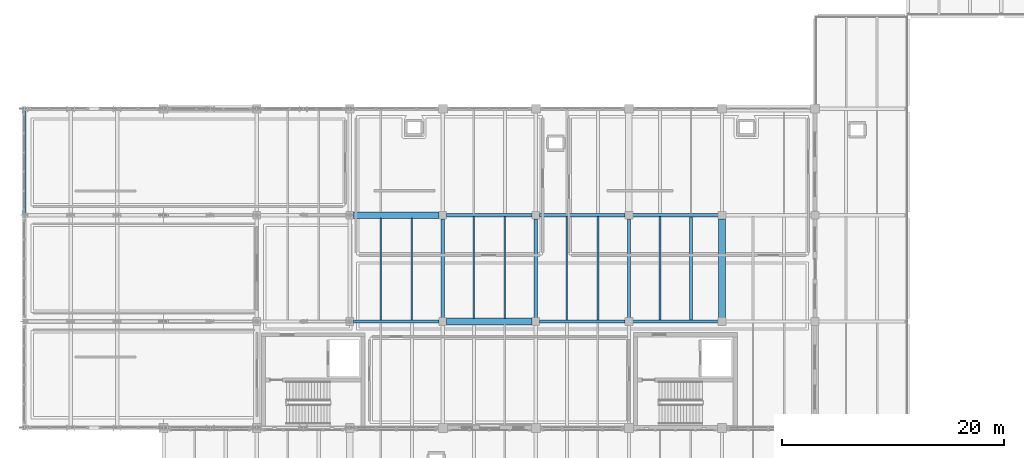
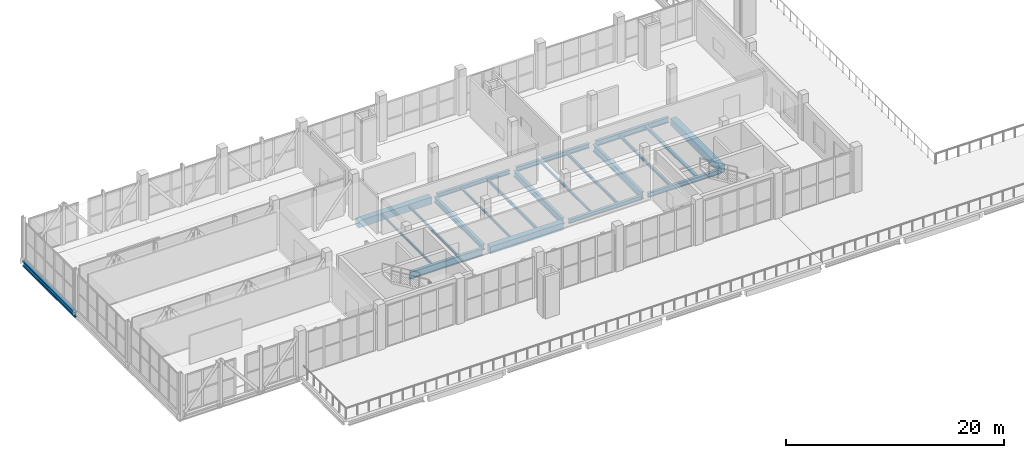
# One storey, part 14 of 77: 21 beams.
"""IFC4 building model written with IfcOpenShell, lengths in metres."""

from ifc_helpers import new_model, si_unit, direction, frame, origin, origin_2d, place, context, subcontext, project, spatial, rectangle, i_section, extrude, material, material_profile, profile_set, type_object, element, save


model = new_model("IFC4")

# Units and contexts
model_context = context("Model", 3, precision=1e-05, world=origin(), true_north=direction((0.0, 1.0)))
body_context = subcontext(model_context, "Body", "Model", "MODEL_VIEW")
ifc_project = project(units=[si_unit("LENGTHUNIT", "METRE"), si_unit("AREAUNIT", "SQUARE_METRE"), si_unit("VOLUMEUNIT", "CUBIC_METRE"), si_unit("PLANEANGLEUNIT", "RADIAN"), si_unit("MASSUNIT", "GRAM", prefix="KILO")], contexts=[model_context])

# Site, building, storey
site_placement = place(None, origin())
site = spatial("IfcSite", under=ifc_project, at=site_placement, CompositionType="ELEMENT")
building_placement = place(site_placement, origin())
building = spatial("IfcBuilding", under=site, at=building_placement, Name="Zulmaris Art Gallery", CompositionType="ELEMENT")
storey_placement = place(building_placement, frame((0.0, 0.0, 15.60009765625)))
storey = spatial("IfcBuildingStorey", under=building, at=storey_placement, Name="L03", CompositionType="ELEMENT", Elevation=15.60009765625)

# Beams
ifc_material_1 = material(Name="Steel S355J2", Category="steel")
ifc_material_profile_1 = material_profile(ifc_material_1, i_section(OverallWidth=0.300048828125, OverallDepth=0.43994140625, WebThickness=0.011474609375, FlangeThickness=0.02099609375, FilletRadius=0.027099609375, at=origin_2d()), Name="HEA 450")
ifc_profile_set_1 = profile_set([ifc_material_profile_1], Name="Steel S355J2")
beam_type_1 = type_object("IfcBeamType", Name="BEAM-BM10", PredefinedType="BEAM", material=ifc_profile_set_1)
for number, where, z_axis, x_axis, name in (
    (1, (57.93505859375, 31.199951171875, -0.6201171875), (1.0, 0.0, 0.0), (0.0, 1.0, 0.0), "L03 X-girder (57.6..66.0, y=31.2)"),
    (2, (49.534912109375, 40.800048828125, -0.6201171875), (1.0, 0.0, 0.0), (0.0, 1.0, 0.0), "L03 X-girder (49.2..57.6, y=40.8)"),
):
    element("IfcBeam", number, at=place(storey_placement, frame(where, z_axis=z_axis, x_axis=x_axis)), inside=storey, type_object=beam_type_1, Name=name, PredefinedType="BEAM", context=body_context, shape_type="SweptSolid", body=[
        extrude(i_section(OverallWidth=0.300048828125, OverallDepth=0.43994140625, WebThickness=0.011474609375, FlangeThickness=0.02099609375, FilletRadius=0.027099609375, at=origin_2d()), origin(), (0.0, 0.0, 1.0), 7.72998046875),
    ])
ifc_material_profile_2 = material_profile(ifc_material_1, i_section(OverallWidth=0.300048828125, OverallDepth=0.489990234375, WebThickness=0.011962890625, FlangeThickness=0.02294921875, FilletRadius=0.027099609375, at=origin_2d()), Name="HEA 500")
ifc_profile_set_2 = profile_set([ifc_material_profile_2], Name="Steel S355J2")
beam_type_2 = type_object("IfcBeamType", Name="BEAM-BM11", PredefinedType="BEAM", material=ifc_profile_set_2)
for number, where, z_axis, x_axis, name in (
    (3, (66.3349609375, 31.199951171875, -0.614990234375), (1.0, 0.0, 0.0), (0.0, 1.0, 0.0), "L03 X-girder (66.0..74.4, y=31.2)"),
    (4, (57.93505859375, 40.800048828125, -0.614990234375), (1.0, 0.0, 0.0), (0.0, 1.0, 0.0), "L03 X-girder (57.6..66.0, y=40.8)"),
):
    element("IfcBeam", number, at=place(storey_placement, frame(where, z_axis=z_axis, x_axis=x_axis)), inside=storey, type_object=beam_type_2, Name=name, PredefinedType="BEAM", context=body_context, shape_type="SweptSolid", body=[
        extrude(i_section(OverallWidth=0.300048828125, OverallDepth=0.489990234375, WebThickness=0.011962890625, FlangeThickness=0.02294921875, FilletRadius=0.027099609375, at=origin_2d()), origin(), (0.0, 0.0, 1.0), 7.72998046875),
    ])
ifc_material_profile_3 = material_profile(ifc_material_1, i_section(OverallWidth=0.300048828125, OverallDepth=0.590087890625, WebThickness=0.012939453125, FlangeThickness=0.02490234375, FilletRadius=0.027099609375, at=origin_2d()), Name="HEA 600")
ifc_profile_set_3 = profile_set([ifc_material_profile_3], Name="Steel S355J2")
beam_type_3 = type_object("IfcBeamType", Name="BEAM-BM12", PredefinedType="BEAM", material=ifc_profile_set_3)
beam_1_placement = place(storey_placement, frame((11.39990234375, 40.800048828125, -0.614990234375), z_axis=(0.0, 1.0, 0.0), x_axis=(-1.0, 0.0, 0.0)))
element("IfcBeam", 5, at=beam_1_placement, inside=storey, type_object=beam_type_3, Name="L03 cantilever transverse girder at x=11.4", PredefinedType="BEAM", context=body_context, shape_type="SweptSolid", body=[
    extrude(i_section(OverallWidth=0.300048828125, OverallDepth=0.590087890625, WebThickness=0.012939453125, FlangeThickness=0.02490234375, FilletRadius=0.027099609375, at=origin_2d()), origin(), (0.0, 0.0, 1.0), 9.599853515625),
])
ifc_material_profile_4 = material_profile(ifc_material_1, i_section(OverallWidth=0.300048828125, OverallDepth=0.60009765625, WebThickness=0.015380859375, FlangeThickness=0.030029296875, FilletRadius=0.027099609375, at=origin_2d()), Name="HEB 600")
ifc_profile_set_4 = profile_set([ifc_material_profile_4], Name="Steel S355J2")
beam_type_4 = type_object("IfcBeamType", Name="BEAM-BM15", PredefinedType="BEAM", material=ifc_profile_set_4)
beam_2_placement = place(storey_placement, frame((66.3349609375, 40.800048828125, -0.670166015625), z_axis=(1.0, 0.0, 0.0), x_axis=(0.0, 1.0, 0.0)))
element("IfcBeam", 6, at=beam_2_placement, inside=storey, type_object=beam_type_4, Name="L03 X-girder (66.0..74.4, y=40.8)", PredefinedType="BEAM", context=body_context, shape_type="SweptSolid", body=[
    extrude(i_section(OverallWidth=0.300048828125, OverallDepth=0.60009765625, WebThickness=0.015380859375, FlangeThickness=0.030029296875, FilletRadius=0.027099609375, at=origin_2d()), origin(), (0.0, 0.0, 1.0), 7.72998046875),
])
beam_3_placement = place(storey_placement, frame((49.199951171875, 31.534912109375, -0.670166015625), z_axis=(0.0, 1.0, 0.0), x_axis=(-1.0, 0.0, 0.0)))
element("IfcBeam", 7, at=beam_3_placement, inside=storey, type_object=beam_type_4, Name="L03 Y-girder (x=49.2, 31.2..40.8)", PredefinedType="BEAM", context=body_context, shape_type="SweptSolid", body=[
    extrude(i_section(OverallWidth=0.300048828125, OverallDepth=0.60009765625, WebThickness=0.015380859375, FlangeThickness=0.030029296875, FilletRadius=0.027099609375, at=origin_2d()), origin(), (0.0, 0.0, 1.0), 8.93017578125),
])
ifc_material_profile_5 = material_profile(ifc_material_1, i_section(OverallWidth=0.300048828125, OverallDepth=0.699951171875, WebThickness=0.01708984375, FlangeThickness=0.031982421875, FilletRadius=0.027099609375, at=origin_2d()), Name="HEB 700")
ifc_profile_set_5 = profile_set([ifc_material_profile_5], Name="Steel S355J2")
beam_type_5 = type_object("IfcBeamType", Name="BEAM-BM16", PredefinedType="BEAM", material=ifc_profile_set_5)
beam_4_placement = place(storey_placement, frame((57.60009765625, 31.534912109375, -0.72021484375), z_axis=(0.0, 1.0, 0.0), x_axis=(-1.0, 0.0, 0.0)))
element("IfcBeam", 8, at=beam_4_placement, inside=storey, type_object=beam_type_5, Name="L03 Y-girder (x=57.6, 31.2..40.8)", PredefinedType="BEAM", context=body_context, shape_type="SweptSolid", body=[
    extrude(i_section(OverallWidth=0.300048828125, OverallDepth=0.699951171875, WebThickness=0.01708984375, FlangeThickness=0.031982421875, FilletRadius=0.027099609375, at=origin_2d()), origin(), (0.0, 0.0, 1.0), 8.93017578125),
])
ifc_material_profile_6 = material_profile(ifc_material_1, i_section(OverallWidth=0.300048828125, OverallDepth=0.800048828125, WebThickness=0.017578125, FlangeThickness=0.032958984375, FilletRadius=0.030029296875, at=origin_2d()), Name="HEB 800")
ifc_profile_set_6 = profile_set([ifc_material_profile_6], Name="Steel S355J2")
beam_type_6 = type_object("IfcBeamType", Name="BEAM-BM17", PredefinedType="BEAM", material=ifc_profile_set_6)
beam_5_placement = place(storey_placement, frame((41.135009765625, 31.199951171875, -0.77001953125), z_axis=(1.0, 0.0, 0.0), x_axis=(0.0, 1.0, 0.0)))
element("IfcBeam", 9, at=beam_5_placement, inside=storey, type_object=beam_type_6, Name="L03 X-girder (40.8..49.2, y=31.2)", PredefinedType="BEAM", context=body_context, shape_type="SweptSolid", body=[
    extrude(i_section(OverallWidth=0.300048828125, OverallDepth=0.800048828125, WebThickness=0.017578125, FlangeThickness=0.032958984375, FilletRadius=0.030029296875, at=origin_2d()), origin(), (0.0, 0.0, 1.0), 7.72998046875),
])
beam_6_placement = place(storey_placement, frame((66.0, 31.534912109375, -0.77001953125), z_axis=(0.0, 1.0, 0.0), x_axis=(-1.0, 0.0, 0.0)))
element("IfcBeam", 10, at=beam_6_placement, inside=storey, type_object=beam_type_6, Name="L03 Y-girder (x=66.0, 31.2..40.8)", PredefinedType="BEAM", context=body_context, shape_type="SweptSolid", body=[
    extrude(i_section(OverallWidth=0.300048828125, OverallDepth=0.800048828125, WebThickness=0.017578125, FlangeThickness=0.032958984375, FilletRadius=0.030029296875, at=origin_2d()), origin(), (0.0, 0.0, 1.0), 8.93017578125),
])
ifc_material_2 = material(Name="Concrete C40/50", Category="concrete")
ifc_material_profile_7 = material_profile(ifc_material_2, rectangle(XDim=0.60009765625, YDim=0.800048828125, at=origin_2d()), Name="RC 600x800")
ifc_profile_set_7 = profile_set([ifc_material_profile_7], Name="Concrete C40/50")
beam_type_7 = type_object("IfcBeamType", Name="BEAM-BM27", PredefinedType="BEAM", material=ifc_profile_set_7)
for number, where, z_axis, x_axis, name in (
    (11, (49.534912109375, 31.199951171875, -0.77001953125), (1.0, 0.0, 0.0), (0.0, 1.0, 0.0), "L03 X-girder (49.2..57.6, y=31.2)"),
    (12, (41.135009765625, 40.800048828125, -0.77001953125), (1.0, 0.0, 0.0), (0.0, 1.0, 0.0), "L03 X-girder (40.8..49.2, y=40.8)"),
):
    element("IfcBeam", number, at=place(storey_placement, frame(where, z_axis=z_axis, x_axis=x_axis)), inside=storey, type_object=beam_type_7, Name=name, PredefinedType="BEAM", context=body_context, shape_type="SweptSolid", body=[
        extrude(rectangle(XDim=0.60009765625, YDim=0.800048828125, at=origin_2d()), origin(), (0.0, 0.0, 1.0), 7.72998046875),
    ])
beam_7_placement = place(storey_placement, frame((74.39990234375, 31.534912109375, -0.77001953125), z_axis=(0.0, 1.0, 0.0), x_axis=(-1.0, 0.0, 0.0)))
element("IfcBeam", 13, at=beam_7_placement, inside=storey, type_object=beam_type_7, Name="L03 Y-girder (x=74.4, 31.2..40.8)", PredefinedType="BEAM", context=body_context, shape_type="SweptSolid", body=[
    extrude(rectangle(XDim=0.60009765625, YDim=0.800048828125, at=origin_2d()), origin(), (0.0, 0.0, 1.0), 8.93017578125),
])
ifc_material_profile_8 = material_profile(ifc_material_1, i_section(OverallWidth=0.1201171875, OverallDepth=0.239990234375, WebThickness=0.006103515625, FlangeThickness=0.009765625, FilletRadius=0.014892578125, at=origin_2d()), Name="IPE 240")
ifc_profile_set_8 = profile_set([ifc_material_profile_8], Name="Steel S355J2")
beam_type_8 = type_object("IfcBeamType", Name="BEAM-JS01", PredefinedType="JOIST", material=ifc_profile_set_8)
beam_8_placement = place(storey_placement, frame((43.60009765625, 31.324951171875, -0.489990234375), z_axis=(0.0, 1.0, 0.0), x_axis=(-1.0, 0.0, 0.0)))
element("IfcBeam", 14, at=beam_8_placement, inside=storey, type_object=beam_type_8, Name="L03 secondary joist at x=43.6", PredefinedType="JOIST", context=body_context, shape_type="SweptSolid", body=[
    extrude(i_section(OverallWidth=0.1201171875, OverallDepth=0.239990234375, WebThickness=0.006103515625, FlangeThickness=0.009765625, FilletRadius=0.014892578125, at=origin_2d()), origin(), (0.0, 0.0, 1.0), 9.199951171875),
])
ifc_material_profile_9 = material_profile(ifc_material_1, i_section(OverallWidth=0.135009765625, OverallDepth=0.27001953125, WebThickness=0.006591796875, FlangeThickness=0.01025390625, FilletRadius=0.014892578125, at=origin_2d()), Name="IPE 270")
ifc_profile_set_9 = profile_set([ifc_material_profile_9], Name="Steel S355J2")
beam_type_9 = type_object("IfcBeamType", Name="BEAM-JS02", PredefinedType="JOIST", material=ifc_profile_set_9)
for number, where, z_axis, x_axis, name in (
    (15, (46.39990234375, 31.324951171875, -0.505126953125), (0.0, 1.0, 0.0), (-1.0, 0.0, 0.0), "L03 secondary joist at x=46.4"),
    (16, (52.0, 31.47509765625, -0.505126953125), (0.0, 1.0, 0.0), (-1.0, 0.0, 0.0), "L03 secondary joist at x=52.0"),
):
    element("IfcBeam", number, at=place(storey_placement, frame(where, z_axis=z_axis, x_axis=x_axis)), inside=storey, type_object=beam_type_9, Name=name, PredefinedType="JOIST", context=body_context, shape_type="SweptSolid", body=[
        extrude(i_section(OverallWidth=0.135009765625, OverallDepth=0.27001953125, WebThickness=0.006591796875, FlangeThickness=0.01025390625, FilletRadius=0.014892578125, at=origin_2d()), origin(), (0.0, 0.0, 1.0), 9.199951171875),
    ])
beam_9_placement = place(storey_placement, frame((60.39990234375, 31.324951171875, -0.505126953125), z_axis=(0.0, 1.0, 0.0), x_axis=(-1.0, 0.0, 0.0)))
element("IfcBeam", 17, at=beam_9_placement, inside=storey, type_object=beam_type_9, Name="L03 secondary joist at x=60.4", PredefinedType="JOIST", context=body_context, shape_type="SweptSolid", body=[
    extrude(i_section(OverallWidth=0.135009765625, OverallDepth=0.27001953125, WebThickness=0.006591796875, FlangeThickness=0.01025390625, FilletRadius=0.014892578125, at=origin_2d()), origin(), (0.0, 0.0, 1.0), 9.35009765625),
])
ifc_material_profile_10 = material_profile(ifc_material_1, i_section(OverallWidth=0.159912109375, OverallDepth=0.330078125, WebThickness=0.007568359375, FlangeThickness=0.011474609375, FilletRadius=0.01806640625, at=origin_2d()), Name="IPE 330")
ifc_profile_set_10 = profile_set([ifc_material_profile_10], Name="Steel S355J2")
beam_type_10 = type_object("IfcBeamType", Name="BEAM-JS03", PredefinedType="JOIST", material=ifc_profile_set_10)
beam_10_placement = place(storey_placement, frame((54.800048828125, 31.47509765625, -0.53515625), z_axis=(0.0, 1.0, 0.0), x_axis=(-1.0, 0.0, 0.0)))
element("IfcBeam", 18, at=beam_10_placement, inside=storey, type_object=beam_type_10, Name="L03 secondary joist at x=54.8", PredefinedType="JOIST", context=body_context, shape_type="SweptSolid", body=[
    extrude(i_section(OverallWidth=0.159912109375, OverallDepth=0.330078125, WebThickness=0.007568359375, FlangeThickness=0.011474609375, FilletRadius=0.01806640625, at=origin_2d()), origin(), (0.0, 0.0, 1.0), 9.199951171875),
])
for number, where, z_axis, x_axis, name in (
    (19, (63.199951171875, 31.324951171875, -0.53515625), (0.0, 1.0, 0.0), (-1.0, 0.0, 0.0), "L03 secondary joist at x=63.2"),
    (20, (68.800048828125, 31.324951171875, -0.53515625), (0.0, 1.0, 0.0), (-1.0, 0.0, 0.0), "L03 secondary joist at x=68.8"),
):
    element("IfcBeam", number, at=place(storey_placement, frame(where, z_axis=z_axis, x_axis=x_axis)), inside=storey, type_object=beam_type_10, Name=name, PredefinedType="JOIST", context=body_context, shape_type="SweptSolid", body=[
        extrude(i_section(OverallWidth=0.159912109375, OverallDepth=0.330078125, WebThickness=0.007568359375, FlangeThickness=0.011474609375, FilletRadius=0.01806640625, at=origin_2d()), origin(), (0.0, 0.0, 1.0), 9.35009765625),
    ])
ifc_material_profile_11 = material_profile(ifc_material_1, i_section(OverallWidth=0.280029296875, OverallDepth=0.27001953125, WebThickness=0.008056640625, FlangeThickness=0.012939453125, FilletRadius=0.02392578125, at=origin_2d()), Name="HEA 280")
ifc_profile_set_11 = profile_set([ifc_material_profile_11], Name="Steel S355J2")
beam_type_11 = type_object("IfcBeamType", Name="BEAM-JS04", PredefinedType="JOIST", material=ifc_profile_set_11)
beam_11_placement = place(storey_placement, frame((71.60009765625, 31.324951171875, -0.505126953125), z_axis=(0.0, 1.0, 0.0), x_axis=(-1.0, 0.0, 0.0)))
element("IfcBeam", 21, at=beam_11_placement, inside=storey, type_object=beam_type_11, Name="L03 secondary joist at x=71.6", PredefinedType="JOIST", context=body_context, shape_type="SweptSolid", body=[
    extrude(i_section(OverallWidth=0.280029296875, OverallDepth=0.27001953125, WebThickness=0.008056640625, FlangeThickness=0.012939453125, FilletRadius=0.02392578125, at=origin_2d()), origin(), (0.0, 0.0, 1.0), 9.35009765625),
])

save(model, "model.ifc")
